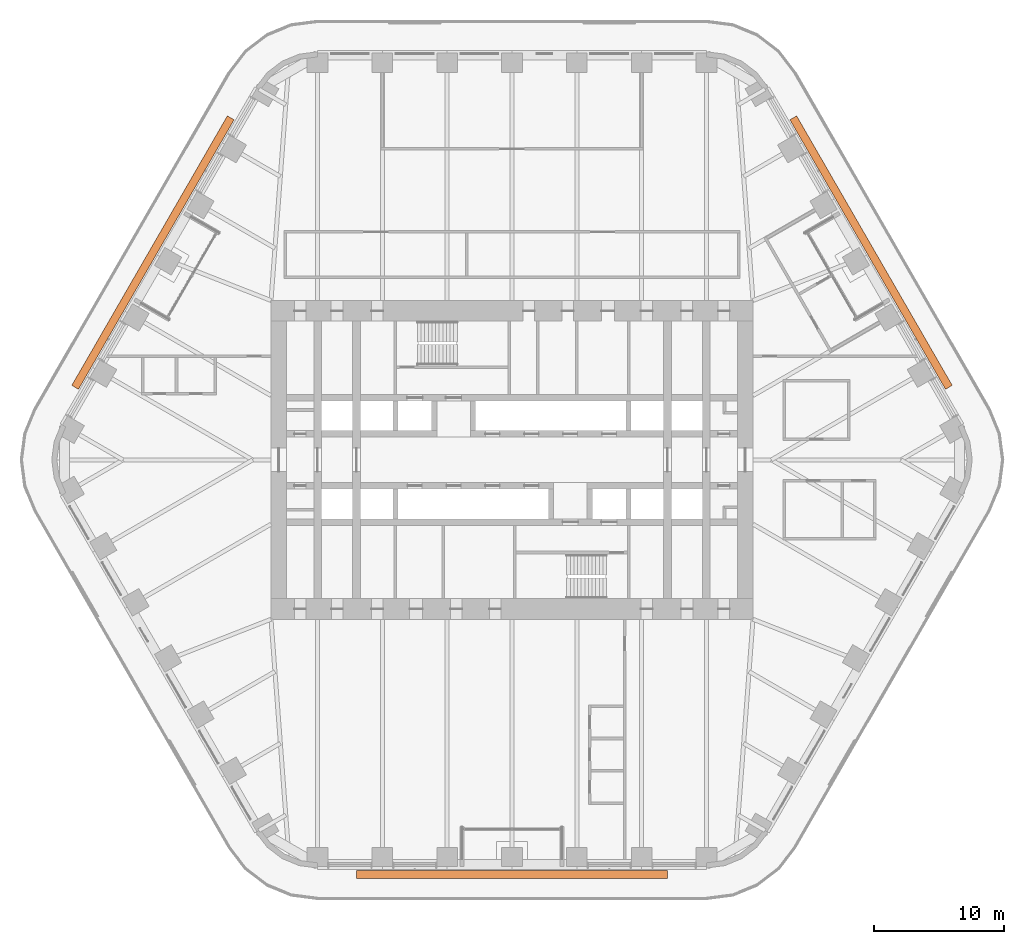
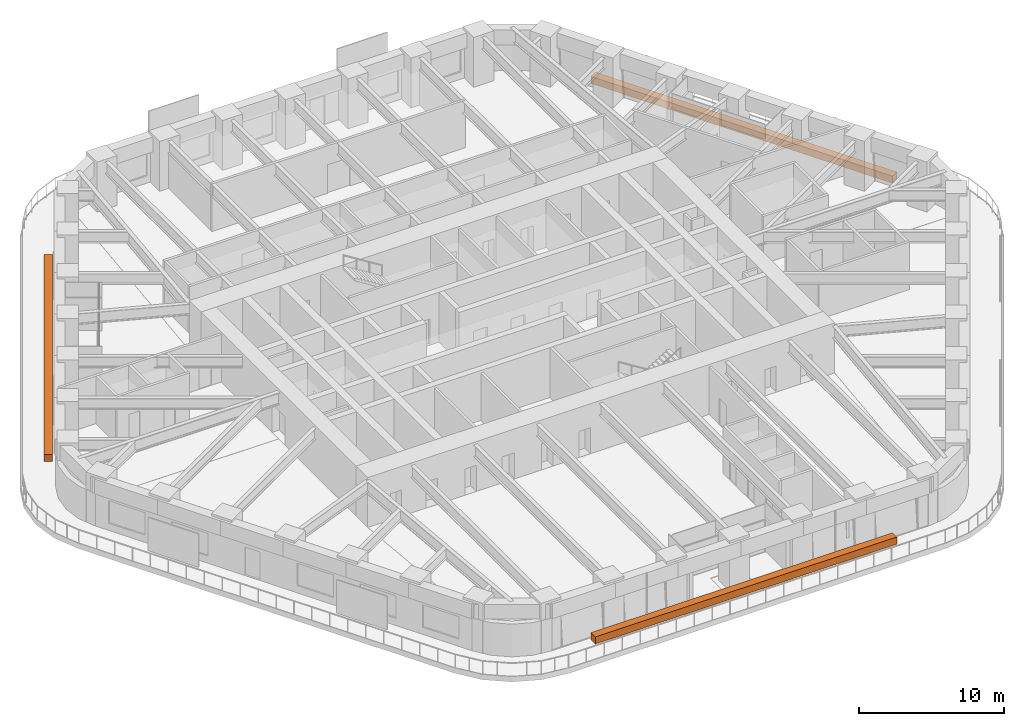
# One storey, part 24 of 24: 3 proxies.
"""IFC4 building model written with IfcOpenShell, lengths in metres."""

from ifc_helpers import new_model, si_unit, direction, frame, origin, origin_2d, place, context, subcontext, project, spatial, rectangle, extrude, material, element, save


model = new_model("IFC4")

# Units and contexts
model_context = context("Model", 3, precision=1e-05, world=origin(), true_north=direction((0.0, 1.0)))
body_context = subcontext(model_context, "Body", "Model", "MODEL_VIEW")
ifc_project = project(units=[si_unit("LENGTHUNIT", "METRE"), si_unit("AREAUNIT", "SQUARE_METRE"), si_unit("VOLUMEUNIT", "CUBIC_METRE"), si_unit("PLANEANGLEUNIT", "RADIAN"), si_unit("MASSUNIT", "GRAM", prefix="KILO")], contexts=[model_context])

# Site, building, storey
site_placement = place(None, origin())
site = spatial("IfcSite", under=ifc_project, at=site_placement, CompositionType="ELEMENT")
building_placement = place(site_placement, origin())
building = spatial("IfcBuilding", under=site, at=building_placement, Name="Tarfa Lantern Tower", CompositionType="ELEMENT")
storey_placement = place(building_placement, frame((0.0, 0.0, 140.5)))
storey = spatial("IfcBuildingStorey", under=building, at=storey_placement, Name="L31", CompositionType="ELEMENT", Elevation=140.5)

# Proxies
ifc_material = material(Name="Planting bed")
for number, where, z_axis, x_axis, name in (
    (1, (27.712890625, 16.0, 0.0), (0.0, 0.0, 1.0), (-0.5, 0.866025403784, 0.0), "Balcony planter"),
    (2, (-27.712890625, 16.0, 0.0), (0.0, 0.0, 1.0), (-0.5, -0.866025403784, 0.0), "Balcony planter"),
    (3, (0.0, -32.0, 0.0), (0.0, 0.0, 1.0), (1.0, 0.0, 0.0), "Balcony planter"),
):
    element("IfcBuildingElementProxy", number, at=place(storey_placement, frame(where, z_axis=z_axis, x_axis=x_axis)), inside=storey, material=ifc_material, Name=name, ObjectType="PLANTER", PredefinedType="USERDEFINED", context=body_context, shape_type="SweptSolid", body=[
        extrude(rectangle(XDim=24.017822265625, YDim=0.60009765625, at=origin_2d()), origin(), (0.0, 0.0, 1.0), 0.60009765625),
    ])

save(model, "model.ifc")
